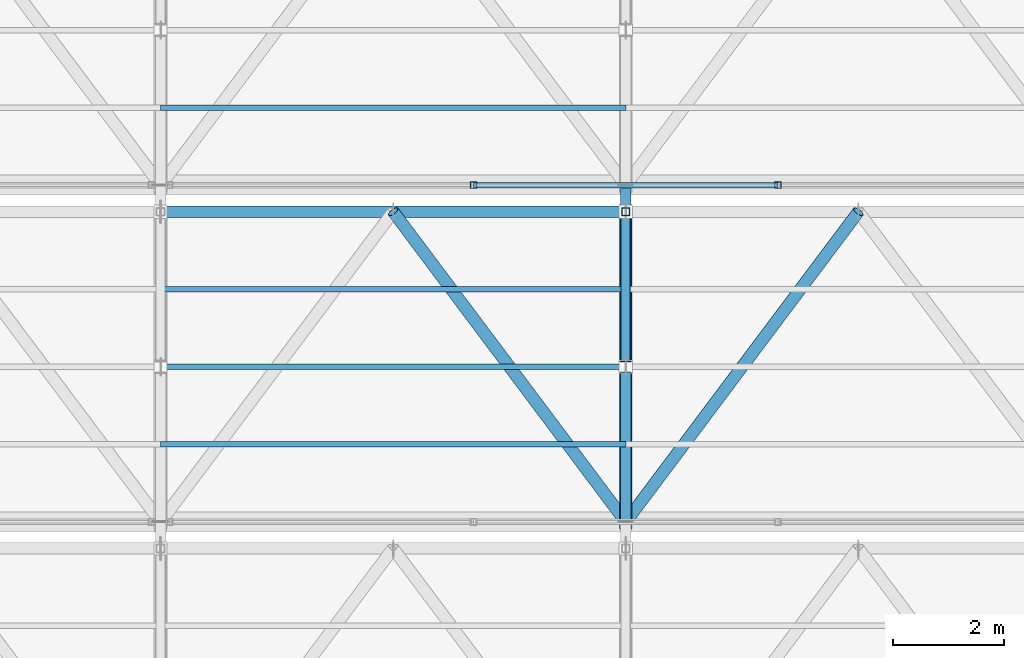
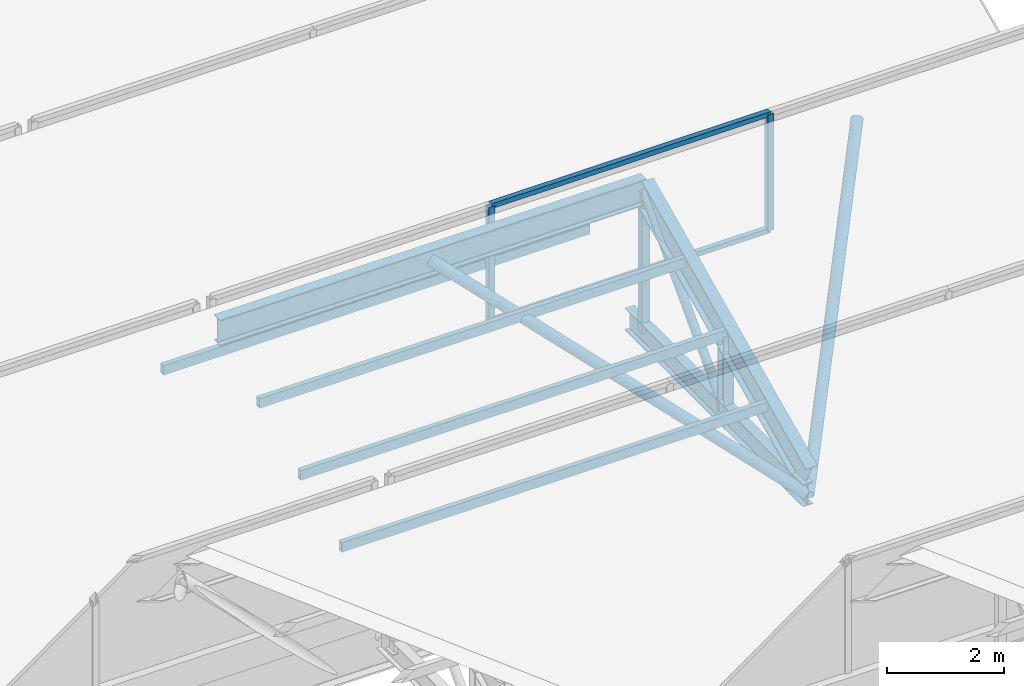
# One storey, part 125 of 217: 16 members, 1 element without a shape of its own.
"""IFC4 building model written with IfcOpenShell, lengths in metres."""

from ifc_helpers import new_model, si_unit, direction, frame, origin, origin_2d, place, context, subcontext, project, spatial, hollow_rectangle, hollow_circle, i_section, extrude, material, material_profile, profile_set, type_object, element, aggregate, save


model = new_model("IFC4")

# Units and contexts
model_context = context("Model", 3, precision=1e-05, world=origin(), true_north=direction((0.0, 1.0)))
body_context = subcontext(model_context, "Body", "Model", "MODEL_VIEW")
ifc_project = project(units=[si_unit("LENGTHUNIT", "METRE"), si_unit("AREAUNIT", "SQUARE_METRE"), si_unit("VOLUMEUNIT", "CUBIC_METRE"), si_unit("PLANEANGLEUNIT", "RADIAN"), si_unit("MASSUNIT", "GRAM", prefix="KILO")], contexts=[model_context])

# Site, building, storey
site_placement = place(None, origin())
site = spatial("IfcSite", under=ifc_project, at=site_placement, CompositionType="ELEMENT")
building_placement = place(site_placement, origin())
building = spatial("IfcBuilding", under=site, at=building_placement, Name="Zuvorla Pavilion Media Centre", CompositionType="ELEMENT")
storey_placement = place(building_placement, frame((0.0, 0.0, 9.60009765625)))
storey = spatial("IfcBuildingStorey", under=building, at=storey_placement, Name="L02", CompositionType="ELEMENT", Elevation=9.60009765625)

# Curtain wall, members
ifc_material_1 = material(Name="Unitised anodised aluminium and solar glass curtain wall", Category="aluminium")
curtain_wall_type = type_object("IfcCurtainWallType", Name="CW-SYS-88", PredefinedType="USERDEFINED", material=ifc_material_1)
curtain_wall_placement = place(storey_placement, origin())
curtain_wall = element("IfcCurtainWall", 1, at=curtain_wall_placement, inside=storey, type_object=curtain_wall_type, Name="L02 curtain wall CW88 211", ObjectType="CURTAIN WALL", PredefinedType="USERDEFINED")
ifc_material_2 = material(Name="Anodised aluminium 6063-T6", Category="aluminium")
ifc_material_profile_1 = material_profile(ifc_material_2, hollow_rectangle(XDim=0.1201171875, YDim=0.1201171875, WallThickness=0.0048828125, at=origin_2d()), Name="ALU MULL 120x120")
ifc_profile_set_1 = profile_set([ifc_material_profile_1], Name="Anodised aluminium 6063-T6")
member_type_1 = type_object("IfcMemberType", Name="CW-MULL-120", PredefinedType="MULLION", material=ifc_profile_set_1)
member_1_placement = place(storey_placement, frame((122.853271484375, 107.840087890625, 0.0), z_axis=(0.0, 0.0, 1.0), x_axis=(1.0, 0.0, 0.0)))
member_1 = element("IfcMember", 2, at=member_1_placement, type_object=member_type_1, Name="CW88 mullion 2", PredefinedType="MULLION", context=body_context, shape_type="SweptSolid", body=[
    extrude(hollow_rectangle(XDim=0.1201171875, YDim=0.1201171875, WallThickness=0.0048828125, at=origin_2d()), origin(), (0.0, 0.0, 1.0), 2.419921875),
])
member_2_placement = place(storey_placement, frame((128.3466796875, 107.840087890625, 0.0), z_axis=(0.0, 0.0, 1.0), x_axis=(1.0, 0.0, 0.0)))
member_2 = element("IfcMember", 3, at=member_2_placement, type_object=member_type_1, Name="CW88 mullion 3", PredefinedType="MULLION", context=body_context, shape_type="SweptSolid", body=[
    extrude(hollow_rectangle(XDim=0.1201171875, YDim=0.1201171875, WallThickness=0.0048828125, at=origin_2d()), origin(), (0.0, 0.0, 1.0), 2.419921875),
])
ifc_material_profile_2 = material_profile(ifc_material_2, hollow_rectangle(XDim=0.10009765625, YDim=0.10009765625, WallThickness=0.00439453125, at=origin_2d()), Name="ALU TRAN 100x100")
ifc_profile_set_2 = profile_set([ifc_material_profile_2], Name="Anodised aluminium 6063-T6")
member_type_2 = type_object("IfcMemberType", Name="CW-TRAN-100", PredefinedType="USERDEFINED", material=ifc_profile_set_2)
member_3_placement = place(storey_placement, frame((122.853271484375, 107.840087890625, 0.0), z_axis=(1.0, 0.0, 0.0), x_axis=(0.0, 1.0, 0.0)))
member_3 = element("IfcMember", 4, at=member_3_placement, type_object=member_type_2, Name="CW88 transom 2.1", ObjectType="TRANSOM", PredefinedType="USERDEFINED", context=body_context, shape_type="SweptSolid", body=[
    extrude(hollow_rectangle(XDim=0.10009765625, YDim=0.10009765625, WallThickness=0.00439453125, at=origin_2d()), origin(), (0.0, 0.0, 1.0), 5.493408203125),
])
member_4_placement = place(storey_placement, frame((122.853271484375, 107.840087890625, 2.419921875), z_axis=(1.0, 0.0, 0.0), x_axis=(0.0, 1.0, 0.0)))
member_4 = element("IfcMember", 5, at=member_4_placement, type_object=member_type_2, Name="CW88 transom 2.2", ObjectType="TRANSOM", PredefinedType="USERDEFINED", context=body_context, shape_type="SweptSolid", body=[
    extrude(hollow_rectangle(XDim=0.10009765625, YDim=0.10009765625, WallThickness=0.00439453125, at=origin_2d()), origin(), (0.0, 0.0, 1.0), 5.493408203125),
])
aggregate(curtain_wall, [member_1, member_2, member_3, member_4])

# Members
ifc_material_3 = material(Name="Steel S355", Category="steel")
ifc_material_profile_3 = material_profile(ifc_material_3, hollow_circle(Radius=0.084228515625, WallThickness=0.008056640625, at=origin_2d()), Name="CHS 168.3x8")
ifc_profile_set_3 = profile_set([ifc_material_profile_3], Name="Steel S355")
member_type_3 = type_object("IfcMemberType", Name="MEM-BRC-CHS168", PredefinedType="BRACE", material=ifc_profile_set_3)
member_5_placement = place(storey_placement, frame((125.60009765625, 104.56005859375, -0.880126953125), z_axis=(0.0, 0.68676242614, 0.726881950555), x_axis=(-1.0, 0.0, 0.0)))
element("IfcMember", 6, at=member_5_placement, inside=storey, type_object=member_type_3, Name="L02 diagonal brace TB03 257", PredefinedType="BRACE", context=body_context, shape_type="SweptSolid", body=[
    extrude(hollow_circle(Radius=0.084228515625, WallThickness=0.008056640625, at=origin_2d()), origin(), (0.0, 0.0, 1.0), 4.0771484375),
])
ifc_material_profile_4 = material_profile(ifc_material_3, hollow_circle(Radius=0.109619140625, WallThickness=0.010009765625, at=origin_2d()), Name="CHS 219.1x10")
ifc_profile_set_4 = profile_set([ifc_material_profile_4], Name="Steel S355")
member_type_4 = type_object("IfcMemberType", Name="MEM-BRC-CHS219", PredefinedType="BRACE", material=ifc_profile_set_4)
member_6_placement = place(storey_placement, frame((121.39990234375, 107.360107421875, 2.08349609375), z_axis=(0.552533909139, -0.736690467788, -0.389863352885), x_axis=(0.79999162962, 0.600011160345, 0.0)))
element("IfcMember", 7, at=member_6_placement, inside=storey, type_object=member_type_4, Name="L02 diagonal brace TB02 302", PredefinedType="BRACE", context=body_context, shape_type="SweptSolid", body=[
    extrude(hollow_circle(Radius=0.109619140625, WallThickness=0.010009765625, at=origin_2d()), origin(), (0.0, 0.0, 1.0), 7.601806640625),
])
member_7_placement = place(storey_placement, frame((125.60009765625, 101.760009765625, -0.880126953125), z_axis=(0.552511596944, 0.736703540702, 0.389870271191), x_axis=(-0.800008370399, 0.599988839305, 0.0)))
element("IfcMember", 8, at=member_7_placement, inside=storey, type_object=member_type_4, Name="L02 diagonal brace TB02 307", PredefinedType="BRACE", context=body_context, shape_type="SweptSolid", body=[
    extrude(hollow_circle(Radius=0.109619140625, WallThickness=0.010009765625, at=origin_2d()), origin(), (0.0, 0.0, 1.0), 7.6015625),
])
ifc_material_profile_5 = material_profile(ifc_material_3, i_section(OverallWidth=0.19140625, OverallDepth=0.4599609375, WebThickness=0.010009765625, FlangeThickness=0.01611328125, FilletRadius=0.01025390625, at=origin_2d()), Name="UB 457x191x82")
ifc_profile_set_5 = profile_set([ifc_material_profile_5], Name="Steel S355")
member_type_5 = type_object("IfcMemberType", Name="MEM-CHD-UB457", PredefinedType="CHORD", material=ifc_profile_set_5)
member_8_placement = place(storey_placement, frame((125.60009765625, 101.760009765625, -0.880126953125), z_axis=(0.0, 1.0, 0.0), x_axis=(-1.0, 0.0, 0.0)))
element("IfcMember", 9, at=member_8_placement, inside=storey, type_object=member_type_5, Name="L02 chord TC03 254", PredefinedType="CHORD", context=body_context, shape_type="SweptSolid", body=[
    extrude(i_section(OverallWidth=0.19140625, OverallDepth=0.4599609375, WebThickness=0.010009765625, FlangeThickness=0.01611328125, FilletRadius=0.01025390625, at=origin_2d()), origin(), (0.0, 0.0, 1.0), 6.080078125),
])
ifc_material_profile_6 = material_profile(ifc_material_3, i_section(OverallWidth=0.2099609375, OverallDepth=0.53662109375, WebThickness=0.0107421875, FlangeThickness=0.017333984375, FilletRadius=0.0126953125, at=origin_2d()), Name="UB 533x210x101")
ifc_profile_set_6 = profile_set([ifc_material_profile_6], Name="Steel S355")
member_type_6 = type_object("IfcMemberType", Name="MEM-CHD-UB533", PredefinedType="CHORD", material=ifc_profile_set_6)
member_9_placement = place(storey_placement, frame((117.199951171875, 107.360107421875, 2.08349609375), z_axis=(1.0, 0.0, 0.0), x_axis=(0.0, 1.0, 0.0)))
element("IfcMember", 10, at=member_9_placement, inside=storey, type_object=member_type_6, Name="L02 chord TC02 300", PredefinedType="CHORD", context=body_context, shape_type="SweptSolid", body=[
    extrude(i_section(OverallWidth=0.2099609375, OverallDepth=0.53662109375, WebThickness=0.0107421875, FlangeThickness=0.017333984375, FilletRadius=0.0126953125, at=origin_2d()), origin(), (0.0, 0.0, 1.0), 8.400146484375),
])
ifc_material_profile_7 = material_profile(ifc_material_3, i_section(OverallWidth=0.22900390625, OverallDepth=0.6123046875, WebThickness=0.011962890625, FlangeThickness=0.01953125, FilletRadius=0.0126953125, at=origin_2d()), Name="UB 610x229x125")
ifc_profile_set_7 = profile_set([ifc_material_profile_7], Name="Steel S355")
member_type_7 = type_object("IfcMemberType", Name="MEM-CHD-UB610", PredefinedType="CHORD", material=ifc_profile_set_7)
member_10_placement = place(storey_placement, frame((125.60009765625, 101.760009765625, -0.5166015625), z_axis=(0.0, 0.907005731366, 0.421118277053), x_axis=(-1.0, 0.0, 0.0)))
element("IfcMember", 11, at=member_10_placement, inside=storey, type_object=member_type_7, Name="L02 chord TC01 255", PredefinedType="CHORD", context=body_context, shape_type="SweptSolid", body=[
    extrude(i_section(OverallWidth=0.22900390625, OverallDepth=0.6123046875, WebThickness=0.011962890625, FlangeThickness=0.01953125, FilletRadius=0.0126953125, at=origin_2d()), origin(), (0.0, 0.0, 1.0), 6.17431640625),
])
ifc_material_profile_8 = material_profile(ifc_material_3, hollow_rectangle(XDim=0.10009765625, YDim=0.199951171875, WallThickness=0.008056640625, at=origin_2d()), Name="RHS 200x100x8")
ifc_profile_set_8 = profile_set([ifc_material_profile_8], Name="Steel S355")
member_type_8 = type_object("IfcMemberType", Name="MEM-PUR-RHS200", PredefinedType="PURLIN", material=ifc_profile_set_8)
for number, where, z_axis, x_axis, name in (
    (12, (117.199951171875, 103.159912109375, 0.133544921875), (1.0, 0.0, 0.0), (0.0, 1.0, 0.0), "L02 purlin PR01 303"),
    (13, (117.199951171875, 104.56005859375, 0.783447265625), (1.0, 0.0, 0.0), (0.0, 1.0, 0.0), "L02 purlin PR01 304"),
    (14, (117.199951171875, 105.9599609375, 1.43359375), (1.0, 0.0, 0.0), (0.0, 1.0, 0.0), "L02 purlin PR01 305"),
    (15, (117.199951171875, 109.239990234375, 0.133544921875), (1.0, 0.0, 0.0), (0.0, 1.0, 0.0), "L02 purlin PR01 396"),
):
    element("IfcMember", number, at=place(storey_placement, frame(where, z_axis=z_axis, x_axis=x_axis)), inside=storey, type_object=member_type_8, Name=name, PredefinedType="PURLIN", context=body_context, shape_type="SweptSolid", body=[
        extrude(hollow_rectangle(XDim=0.10009765625, YDim=0.199951171875, WallThickness=0.008056640625, at=origin_2d()), origin(), (0.0, 0.0, 1.0), 8.400146484375),
    ])
ifc_material_profile_9 = material_profile(ifc_material_3, hollow_rectangle(XDim=0.14990234375, YDim=0.14990234375, WallThickness=0.008056640625, at=origin_2d()), Name="SHS 150x150x8")
ifc_profile_set_9 = profile_set([ifc_material_profile_9], Name="Steel S355")
member_type_9 = type_object("IfcMemberType", Name="MEM-STR-SHS150", PredefinedType="STRUT", material=ifc_profile_set_9)
member_11_placement = place(storey_placement, frame((125.60009765625, 107.360107421875, -0.880126953125), z_axis=(0.0, 0.0, 1.0), x_axis=(1.0, 0.0, 0.0)))
element("IfcMember", 16, at=member_11_placement, inside=storey, type_object=member_type_9, Name="L02 vertical strut TS01 256", PredefinedType="STRUT", context=body_context, shape_type="SweptSolid", body=[
    extrude(hollow_rectangle(XDim=0.14990234375, YDim=0.14990234375, WallThickness=0.008056640625, at=origin_2d()), origin(), (0.0, 0.0, 1.0), 2.963623046875),
])
ifc_material_profile_10 = material_profile(ifc_material_3, i_section(OverallWidth=0.205810546875, OverallDepth=0.209716796875, WebThickness=0.009521484375, FlangeThickness=0.01416015625, FilletRadius=0.01025390625, at=origin_2d()), Name="UC 203x203x60")
ifc_profile_set_10 = profile_set([ifc_material_profile_10], Name="Steel S355")
member_type_10 = type_object("IfcMemberType", Name="MEM-STR-UC203", PredefinedType="STRUT", material=ifc_profile_set_10)
member_12_placement = place(storey_placement, frame((125.60009765625, 104.56005859375, -0.880126953125), z_axis=(0.0, 0.0, 1.0), x_axis=(1.0, 0.0, 0.0)))
element("IfcMember", 17, at=member_12_placement, inside=storey, type_object=member_type_10, Name="L02 vertical strut TS02 258", PredefinedType="STRUT", context=body_context, shape_type="SweptSolid", body=[
    extrude(i_section(OverallWidth=0.205810546875, OverallDepth=0.209716796875, WebThickness=0.009521484375, FlangeThickness=0.01416015625, FilletRadius=0.01025390625, at=origin_2d()), origin(), (0.0, 0.0, 1.0), 1.66357421875),
])

save(model, "model.ifc")
